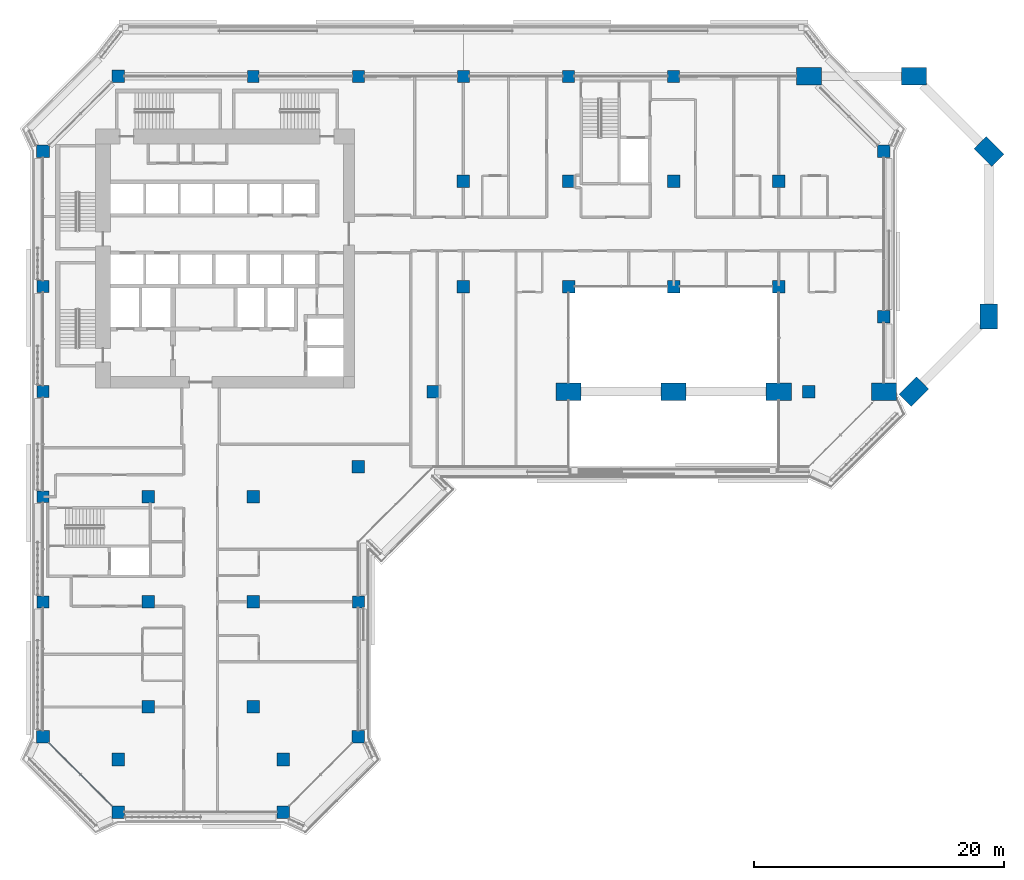
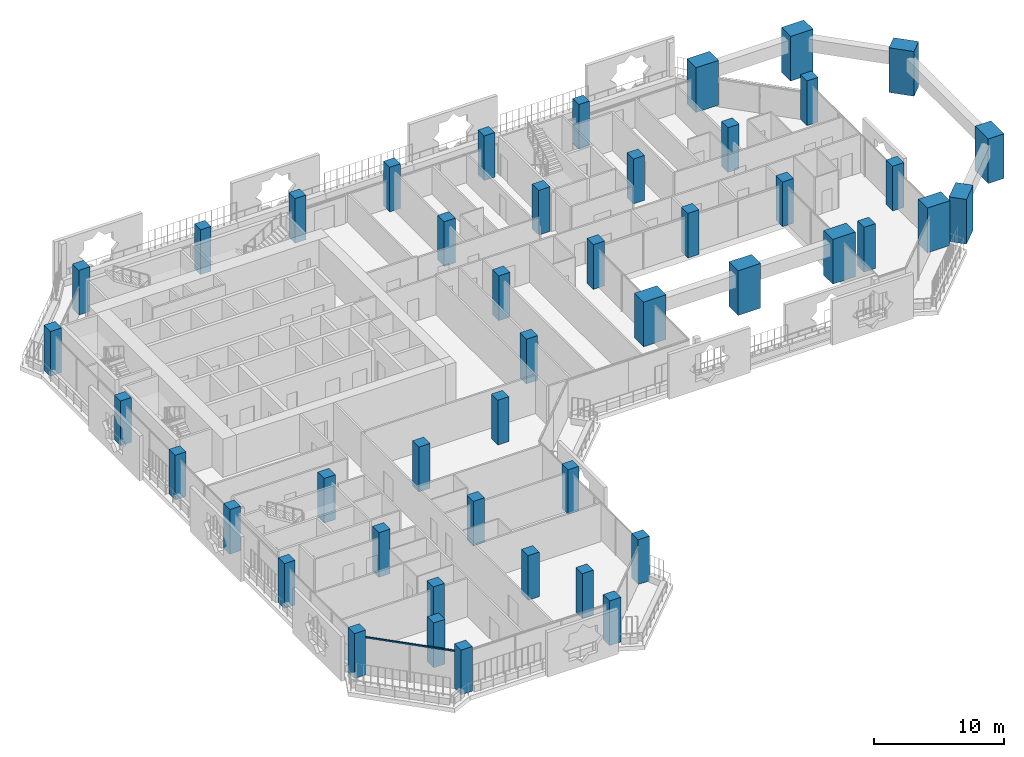
# One storey, part 1 of 24: 46 columns, 1 member, 1 element without a shape of its own.
"""IFC4 building model written with IfcOpenShell, lengths in metres."""

from ifc_helpers import new_model, si_unit, direction, frame, origin, origin_2d, place, context, subcontext, project, spatial, rectangle, extrude, material, layer, layer_set, material_profile, profile_set, type_object, element, aggregate, save


model = new_model("IFC4")

# Units and contexts
model_context = context("Model", 3, precision=1e-05, world=origin(), true_north=direction((0.0, 1.0)))
body_context = subcontext(model_context, "Body", "Model", "MODEL_VIEW")
ifc_project = project(units=[si_unit("LENGTHUNIT", "METRE"), si_unit("AREAUNIT", "SQUARE_METRE"), si_unit("VOLUMEUNIT", "CUBIC_METRE"), si_unit("PLANEANGLEUNIT", "RADIAN"), si_unit("MASSUNIT", "GRAM", prefix="KILO")], contexts=[model_context])

# Site, building, storey
site_placement = place(None, origin())
site = spatial("IfcSite", under=ifc_project, at=site_placement, CompositionType="ELEMENT")
building_placement = place(site_placement, origin())
building = spatial("IfcBuilding", under=site, at=building_placement, Name="Kawkab Arch Medical Tower", CompositionType="ELEMENT")
storey_placement = place(building_placement, frame((0.0, 0.0, 162.60009765625)))
storey = spatial("IfcBuildingStorey", under=building, at=storey_placement, Name="L37", CompositionType="ELEMENT", Elevation=162.60009765625)

# Columns
ifc_material_1 = material(Name="Concrete C50/60", Category="concrete")
ifc_material_profile_1 = material_profile(ifc_material_1, rectangle(XDim=1.0, YDim=1.0, at=origin_2d()), Name="RC 1000x1000")
ifc_profile_set_1 = profile_set([ifc_material_profile_1], Name="Concrete C50/60")
column_type_1 = type_object("IfcColumnType", Name="RC 1000x1000 column C50/60", PredefinedType="COLUMN", material=ifc_profile_set_1)
for number, where, z_axis, x_axis, name in (
    (1, (6.0, 0.0, 0.0), (0.0, 0.0, 1.0), (1.0, 0.0, 0.0), "Column RC 1000x1000"),
    (2, (0.0, -6.0, 0.0), (0.0, 0.0, 1.0), (1.0, 0.0, 0.0), "Column RC 1000x1000"),
    (3, (67.199951171875, -6.0, 0.0), (0.0, 0.0, 1.0), (1.0, 0.0, 0.0), "Column RC 1000x1000"),
    (4, (33.60009765625, -8.39990234375, 0.0), (0.0, 0.0, 1.0), (1.0, 0.0, 0.0), "Column RC 1000x1000"),
    (5, (42.0, -8.39990234375, 0.0), (0.0, 0.0, 1.0), (1.0, 0.0, 0.0), "Column RC 1000x1000"),
    (6, (50.39990234375, -8.39990234375, 0.0), (0.0, 0.0, 1.0), (1.0, 0.0, 0.0), "Column RC 1000x1000"),
    (7, (58.800048828125, -8.39990234375, 0.0), (0.0, 0.0, 1.0), (1.0, 0.0, 0.0), "Column RC 1000x1000"),
    (8, (33.60009765625, -16.800048828125, 0.0), (0.0, 0.0, 1.0), (1.0, 0.0, 0.0), "Column RC 1000x1000"),
    (9, (42.0, -16.800048828125, 0.0), (0.0, 0.0, 1.0), (1.0, 0.0, 0.0), "Column RC 1000x1000"),
    (10, (50.39990234375, -16.800048828125, 0.0), (0.0, 0.0, 1.0), (1.0, 0.0, 0.0), "Column RC 1000x1000"),
    (11, (58.800048828125, -16.800048828125, 0.0), (0.0, 0.0, 1.0), (1.0, 0.0, 0.0), "Column RC 1000x1000"),
    (12, (67.199951171875, -19.199951171875, 0.0), (0.0, 0.0, 1.0), (1.0, 0.0, 0.0), "Column RC 1000x1000"),
    (13, (31.199951171875, -25.199951171875, 0.0), (0.0, 0.0, 1.0), (1.0, 0.0, 0.0), "Column RC 1000x1000"),
    (14, (61.199951171875, -25.199951171875, 0.0), (0.0, 0.0, 1.0), (1.0, 0.0, 0.0), "Column RC 1000x1000"),
    (15, (25.199951171875, -31.199951171875, 0.0), (0.0, 0.0, 1.0), (1.0, 0.0, 0.0), "Column RC 1000x1000"),
    (16, (8.39990234375, -33.60009765625, 0.0), (0.0, 0.0, 1.0), (1.0, 0.0, 0.0), "Column RC 1000x1000"),
    (17, (16.800048828125, -33.60009765625, 0.0), (0.0, 0.0, 1.0), (1.0, 0.0, 0.0), "Column RC 1000x1000"),
    (18, (8.39990234375, -42.0, 0.0), (0.0, 0.0, 1.0), (1.0, 0.0, 0.0), "Column RC 1000x1000"),
    (19, (16.800048828125, -42.0, 0.0), (0.0, 0.0, 1.0), (1.0, 0.0, 0.0), "Column RC 1000x1000"),
    (20, (8.39990234375, -50.39990234375, 0.0), (0.0, 0.0, 1.0), (1.0, 0.0, 0.0), "Column RC 1000x1000"),
    (21, (16.800048828125, -50.39990234375, 0.0), (0.0, 0.0, 1.0), (1.0, 0.0, 0.0), "Column RC 1000x1000"),
    (22, (0.0, -52.800048828125, 0.0), (0.0, 0.0, 1.0), (1.0, 0.0, 0.0), "Column RC 1000x1000"),
    (23, (25.199951171875, -52.800048828125, 0.0), (0.0, 0.0, 1.0), (1.0, 0.0, 0.0), "Column RC 1000x1000"),
    (24, (6.0, -54.60009765625, 0.0), (0.0, 0.0, 1.0), (1.0, 0.0, 0.0), "Column RC 1000x1000"),
    (25, (19.199951171875, -54.60009765625, 0.0), (0.0, 0.0, 1.0), (1.0, 0.0, 0.0), "Column RC 1000x1000"),
    (26, (6.0, -58.800048828125, 0.0), (0.0, 0.0, 1.0), (1.0, 0.0, 0.0), "Column RC 1000x1000"),
    (27, (19.199951171875, -58.800048828125, 0.0), (0.0, 0.0, 1.0), (1.0, 0.0, 0.0), "Column RC 1000x1000"),
):
    element("IfcColumn", number, at=place(storey_placement, frame(where, z_axis=z_axis, x_axis=x_axis)), inside=storey, type_object=column_type_1, Name=name, PredefinedType="COLUMN", context=body_context, shape_type="SweptSolid", body=[
        extrude(rectangle(XDim=1.0, YDim=1.0, at=origin_2d()), origin(), (0.0, 0.0, 1.0), 4.199951171875),
    ])
ifc_material_2 = material(Name="Concrete C50/60", Category="concrete")
ifc_material_profile_2 = material_profile(ifc_material_2, rectangle(XDim=2.0, YDim=1.39990234375, at=origin_2d()), Name="RC 2000x1400")
ifc_profile_set_2 = profile_set([ifc_material_profile_2], Name="Concrete C50/60")
column_type_2 = type_object("IfcColumnType", Name="RC 2000x1400 column C50/60", PredefinedType="COLUMN", material=ifc_profile_set_2)
for number, where, z_axis, x_axis, name in (
    (28, (61.199951171875, 0.0, 0.0), (0.0, 0.0, 1.0), (1.0, 0.0, 0.0), "Column RC 2000x1400"),
    (29, (42.0, -25.199951171875, 0.0), (0.0, 0.0, 1.0), (-1.0, 0.0, 0.0), "Column RC 2000x1400"),
    (30, (50.39990234375, -25.199951171875, 0.0), (0.0, 0.0, 1.0), (-1.0, 0.0, 0.0), "Column RC 2000x1400"),
    (31, (69.60009765625, 0.0, 0.0), (0.0, 0.0, 1.0), (1.0, 0.0, 0.0), "Column RC 2000x1400"),
    (32, (75.60009765625, -6.0, 0.0), (0.0, 0.0, 1.0), (0.707106781187, -0.707106781187, 0.0), "Column RC 2000x1400"),
    (33, (75.60009765625, -19.199951171875, 0.0), (0.0, 0.0, 1.0), (0.0, -1.0, 0.0), "Column RC 2000x1400"),
    (34, (69.60009765625, -25.199951171875, 0.0), (0.0, 0.0, 1.0), (-0.707106781187, -0.707106781187, 0.0), "Column RC 2000x1400"),
    (35, (67.199951171875, -25.199951171875, 0.0), (0.0, 0.0, 1.0), (-1.0, 0.0, 0.0), "Column RC 2000x1400"),
    (36, (58.800048828125, -25.199951171875, 0.0), (0.0, 0.0, 1.0), (-1.0, 0.0, 0.0), "Column RC 2000x1400"),
):
    element("IfcColumn", number, at=place(storey_placement, frame(where, z_axis=z_axis, x_axis=x_axis)), inside=storey, type_object=column_type_2, Name=name, PredefinedType="COLUMN", context=body_context, shape_type="SweptSolid", body=[
        extrude(rectangle(XDim=2.0, YDim=1.39990234375, at=origin_2d()), origin(), (0.0, 0.0, 1.0), 4.199951171875),
    ])
ifc_material_3 = material(Name="Concrete C50/60", Category="concrete")
ifc_material_profile_3 = material_profile(ifc_material_3, rectangle(XDim=0.949951171875, YDim=0.949951171875, at=origin_2d()), Name="RC 950x950")
ifc_profile_set_3 = profile_set([ifc_material_profile_3], Name="Concrete C50/60")
column_type_3 = type_object("IfcColumnType", Name="RC 950x950 column C50/60", PredefinedType="COLUMN", material=ifc_profile_set_3)
for number, where, z_axis, x_axis, name in (
    (37, (16.800048828125, 0.0, 0.0), (0.0, 0.0, 1.0), (1.0, 0.0, 0.0), "Column RC 950x950"),
    (38, (25.199951171875, 0.0, 0.0), (0.0, 0.0, 1.0), (1.0, 0.0, 0.0), "Column RC 950x950"),
    (39, (33.60009765625, 0.0, 0.0), (0.0, 0.0, 1.0), (1.0, 0.0, 0.0), "Column RC 950x950"),
    (40, (42.0, 0.0, 0.0), (0.0, 0.0, 1.0), (1.0, 0.0, 0.0), "Column RC 950x950"),
    (41, (50.39990234375, 0.0, 0.0), (0.0, 0.0, 1.0), (1.0, 0.0, 0.0), "Column RC 950x950"),
    (42, (0.0, -16.800048828125, 0.0), (0.0, 0.0, 1.0), (1.0, 0.0, 0.0), "Column RC 950x950"),
    (43, (0.0, -25.199951171875, 0.0), (0.0, 0.0, 1.0), (1.0, 0.0, 0.0), "Column RC 950x950"),
    (44, (0.0, -33.60009765625, 0.0), (0.0, 0.0, 1.0), (1.0, 0.0, 0.0), "Column RC 950x950"),
    (45, (0.0, -42.0, 0.0), (0.0, 0.0, 1.0), (1.0, 0.0, 0.0), "Column RC 950x950"),
    (46, (25.199951171875, -42.0, 0.0), (0.0, 0.0, 1.0), (1.0, 0.0, 0.0), "Column RC 950x950"),
):
    element("IfcColumn", number, at=place(storey_placement, frame(where, z_axis=z_axis, x_axis=x_axis)), inside=storey, type_object=column_type_3, Name=name, PredefinedType="COLUMN", context=body_context, shape_type="SweptSolid", body=[
        extrude(rectangle(XDim=0.949951171875, YDim=0.949951171875, at=origin_2d()), origin(), (0.0, 0.0, 1.0), 4.199951171875),
    ])

# Curtain wall, member
ifc_material_4 = material(Name="Bronze anodised aluminium curtain wall frame", Category="aluminium")
ifc_layer = layer(ifc_material_4, 0.159912109375)
ifc_layer_set = layer_set([ifc_layer], Name="Bronze anodised aluminium curtain wall frame")
curtain_wall_type = type_object("IfcCurtainWallType", Name="CW2 chamfer curtain wall", PredefinedType="NOTDEFINED", material=ifc_layer_set)
curtain_wall_placement = place(storey_placement, origin())
curtain_wall = element("IfcCurtainWall", 47, at=curtain_wall_placement, inside=storey, type_object=curtain_wall_type, Name="CW2 Chamfer curtain wall R12", PredefinedType="NOTDEFINED")
ifc_material_5 = material(Name="Bronze anodised aluminium curtain wall frame", Category="aluminium")
ifc_material_profile_4 = material_profile(ifc_material_5, rectangle(XDim=0.06005859375, YDim=0.139892578125, at=origin_2d()), Name="AL 60x140")
ifc_profile_set_4 = profile_set([ifc_material_profile_4], Name="Bronze anodised aluminium curtain wall frame")
member_type = type_object("IfcMemberType", Name="CW2 transom 140 x 60", PredefinedType="USERDEFINED", material=ifc_profile_set_4)
member_placement = place(storey_placement, frame((0.5, -53.300048828125, 3.52978515625), z_axis=(0.707106781187, -0.707106781187, 0.0), x_axis=(0.707106781187, 0.707106781187, 0.0)))
member = element("IfcMember", 48, at=member_placement, type_object=member_type, Name="CW2 transom 1", ObjectType="TRANSOM", PredefinedType="USERDEFINED", context=body_context, shape_type="SweptSolid", body=[
    extrude(rectangle(XDim=0.06005859375, YDim=0.139892578125, at=origin_2d()), origin(), (0.0, 0.0, 1.0), 7.071044921875),
])
aggregate(curtain_wall, [member])

save(model, "model.ifc")
